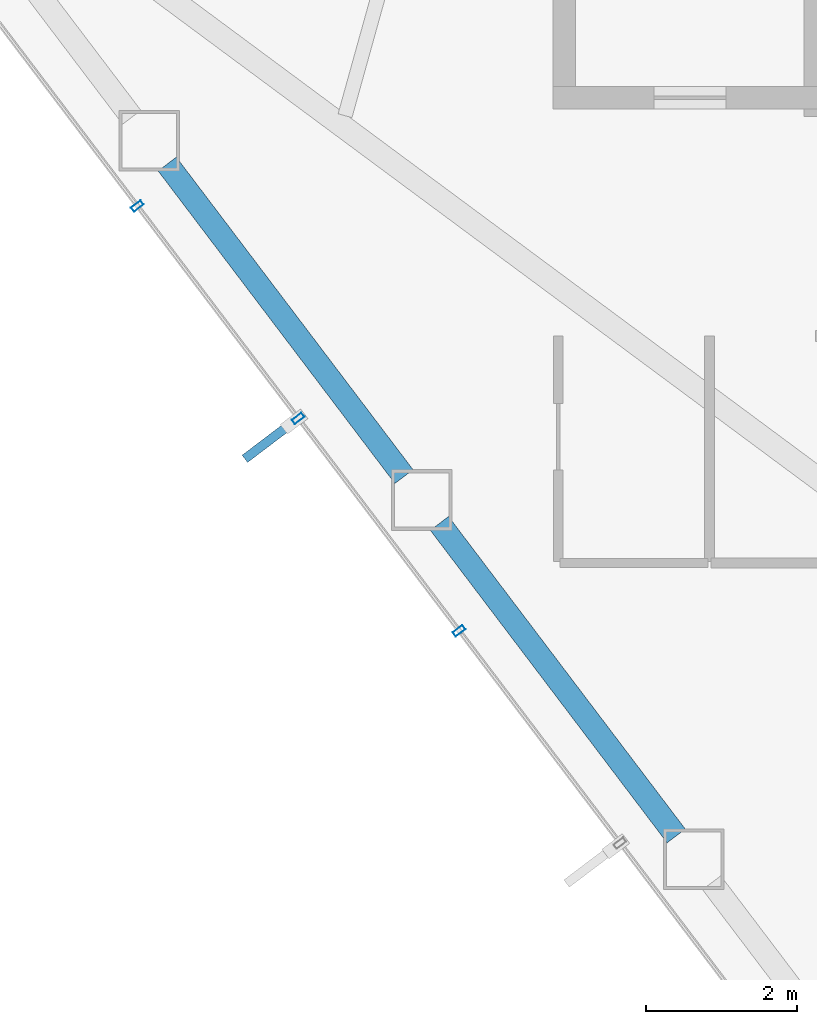
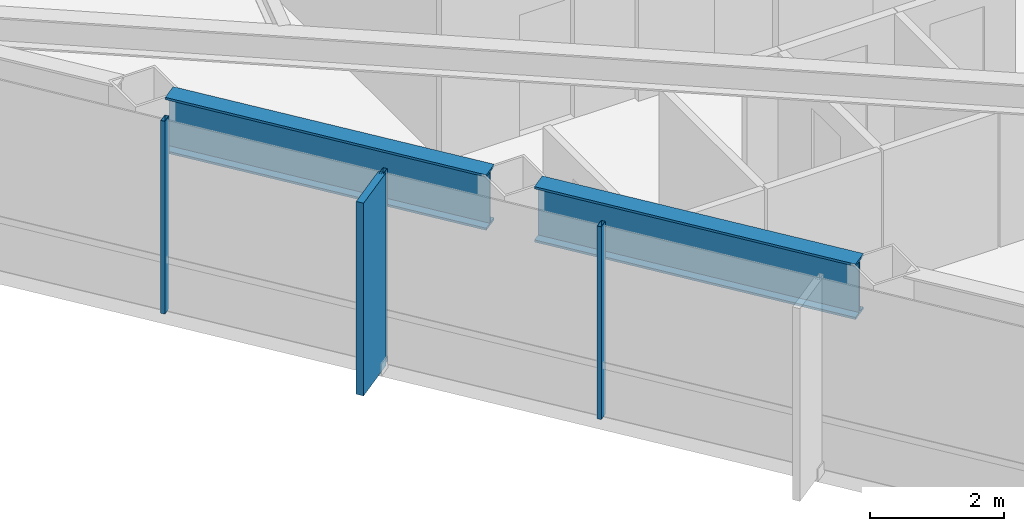
# One storey, part 4 of 28: 4 members, 2 beams, 1 element without a shape of its own.
"""IFC4 building model written with IfcOpenShell, lengths in metres."""

from ifc_helpers import new_model, si_unit, direction, frame, origin, origin_2d, place, context, subcontext, project, spatial, rectangle, hollow_rectangle, i_section, extrude, material, layer, layer_set, material_profile, profile_set, type_object, element, aggregate, save


model = new_model("IFC4")

# Units and contexts
model_context = context("Model", 3, precision=1e-05, world=origin(), true_north=direction((0.0, 1.0)))
body_context = subcontext(model_context, "Body", "Model", "MODEL_VIEW")
ifc_project = project(units=[si_unit("LENGTHUNIT", "METRE"), si_unit("AREAUNIT", "SQUARE_METRE"), si_unit("VOLUMEUNIT", "CUBIC_METRE"), si_unit("PLANEANGLEUNIT", "RADIAN"), si_unit("MASSUNIT", "GRAM", prefix="KILO")], contexts=[model_context])

# Site, building, storey
site_placement = place(None, origin())
site = spatial("IfcSite", under=ifc_project, at=site_placement, CompositionType="ELEMENT")
building_placement = place(site_placement, origin())
building = spatial("IfcBuilding", under=site, at=building_placement, Name="Zarrinselat Tower", CompositionType="ELEMENT")
storey_placement = place(building_placement, frame((0.0, 0.0, 145.860107421875)))
storey = spatial("IfcBuildingStorey", under=building, at=storey_placement, Name="L35", CompositionType="ELEMENT", Elevation=145.860107421875)

# Beams
ifc_material_1 = material(Name="Steel S460M", Category="steel")
ifc_material_profile_1 = material_profile(ifc_material_1, i_section(OverallWidth=0.302001953125, OverallDepth=1.008056640625, WebThickness=0.02099609375, FlangeThickness=0.0400390625, at=origin_2d()), Name="HEM 1000")
ifc_profile_set_1 = profile_set([ifc_material_profile_1], Name="Steel S460M")
beam_type = type_object("IfcBeamType", Name="BM-HEM1000", PredefinedType="BEAM", material=ifc_profile_set_1)
beam_1_placement = place(storey_placement, frame((19.98046875, 32.423583984375, 2.995849609375), z_axis=(0.60385134038, -0.797096956914, 0.0), x_axis=(0.797096956914, 0.60385134038, 0.0)))
element("IfcBeam", 1, at=beam_1_placement, inside=storey, type_object=beam_type, Name="L35 Perimeter Spandrel Girder SP07", PredefinedType="BEAM", context=body_context, shape_type="SweptSolid", body=[
    extrude(i_section(OverallWidth=0.302001953125, OverallDepth=1.008056640625, WebThickness=0.02099609375, FlangeThickness=0.0400390625, at=origin_2d()), origin(), (0.0, 0.0, 1.0), 5.18359375),
])
beam_2_placement = place(storey_placement, frame((23.5791015625, 27.673095703125, 2.995849609375), z_axis=(0.603881263847, -0.797074287112, 0.0), x_axis=(0.797074287112, 0.603881263847, 0.0)))
element("IfcBeam", 2, at=beam_2_placement, inside=storey, type_object=beam_type, Name="L35 Perimeter Spandrel Girder SP08", PredefinedType="BEAM", context=body_context, shape_type="SweptSolid", body=[
    extrude(i_section(OverallWidth=0.302001953125, OverallDepth=1.008056640625, WebThickness=0.02099609375, FlangeThickness=0.0400390625, at=origin_2d()), origin(), (0.0, 0.0, 1.0), 5.183837890625),
])

# Curtain wall, members
ifc_material_2 = material(Name="Extruded Aluminium Alloy EN AW-6063 T6", Category="aluminium")
ifc_layer = layer(ifc_material_2, 0.175048828125)
ifc_layer_set = layer_set([ifc_layer], Name="Extruded Aluminium Alloy EN AW-6063 T6")
curtain_wall_type = type_object("IfcCurtainWallType", Name="CWS-HTL", PredefinedType="NOTDEFINED", material=ifc_layer_set)
curtain_wall_placement = place(storey_placement, origin())
curtain_wall = element("IfcCurtainWall", 3, at=curtain_wall_placement, inside=storey, type_object=curtain_wall_type, Name="L35 Unitised Curtain Wall CW-L35-E03", PredefinedType="NOTDEFINED")
ifc_material_3 = material(Name="Extruded Aluminium Alloy EN AW-6063 T6", Category="aluminium")
ifc_material_profile_2 = material_profile(ifc_material_3, hollow_rectangle(XDim=0.070068359375, YDim=0.159912109375, WallThickness=0.00390625, at=origin_2d()), Name="RHS 160x70x4")
ifc_profile_set_2 = profile_set([ifc_material_profile_2], Name="Extruded Aluminium Alloy EN AW-6063 T6")
member_type_1 = type_object("IfcMemberType", Name="MEM-CW-MUL2", PredefinedType="MULLION", material=ifc_profile_set_2)
member_1_placement = place(storey_placement, frame((19.58544921875, 31.868408203125, 0.0), z_axis=(0.0, 0.0, 1.0), x_axis=(0.603856985167, -0.7970926806, 0.0)))
member_1 = element("IfcMember", 4, at=member_1_placement, type_object=member_type_1, Name="CW-L35-E03 Mullion 2", PredefinedType="MULLION", context=body_context, shape_type="SweptSolid", body=[
    extrude(hollow_rectangle(XDim=0.070068359375, YDim=0.159912109375, WallThickness=0.00390625, at=origin_2d()), origin(), (0.0, 0.0, 1.0), 3.5),
])
member_2_placement = place(storey_placement, frame((21.712158203125, 29.06103515625, 0.0), z_axis=(0.0, 0.0, 1.0), x_axis=(0.603856985167, -0.7970926806, 0.0)))
member_2 = element("IfcMember", 5, at=member_2_placement, type_object=member_type_1, Name="CW-L35-E03 Mullion 3", PredefinedType="MULLION", context=body_context, shape_type="SweptSolid", body=[
    extrude(hollow_rectangle(XDim=0.070068359375, YDim=0.159912109375, WallThickness=0.00390625, at=origin_2d()), origin(), (0.0, 0.0, 1.0), 3.5),
])
member_3_placement = place(storey_placement, frame((23.839111328125, 26.253662109375, 0.0), z_axis=(0.0, 0.0, 1.0), x_axis=(0.603856985167, -0.7970926806, 0.0)))
member_3 = element("IfcMember", 6, at=member_3_placement, type_object=member_type_1, Name="CW-L35-E03 Mullion 4", PredefinedType="MULLION", context=body_context, shape_type="SweptSolid", body=[
    extrude(hollow_rectangle(XDim=0.070068359375, YDim=0.159912109375, WallThickness=0.00390625, at=origin_2d()), origin(), (0.0, 0.0, 1.0), 3.5),
])
ifc_material_4 = material(Name="Honed Cream Travertine Stone", Category="masonry")
ifc_material_profile_3 = material_profile(ifc_material_4, rectangle(XDim=0.1201171875, YDim=0.85009765625, at=origin_2d()), Name="FIN 850x120")
ifc_profile_set_3 = profile_set([ifc_material_profile_3], Name="Honed Cream Travertine Stone")
member_type_2 = type_object("IfcMemberType", Name="MEM-STONE-FIN", PredefinedType="USERDEFINED", material=ifc_profile_set_3)
member_4_placement = place(storey_placement, frame((21.345458984375, 28.783203125, 0.0), z_axis=(0.0, 0.0, 1.0), x_axis=(-0.603856985167, 0.7970926806, 0.0)))
member_4 = element("IfcMember", 7, at=member_4_placement, type_object=member_type_2, Name="L35 Stone Shading Fin CW-L35-E03-03", ObjectType="FIN", PredefinedType="USERDEFINED", context=body_context, shape_type="SweptSolid", body=[
    extrude(rectangle(XDim=0.1201171875, YDim=0.85009765625, at=origin_2d()), origin(), (0.0, 0.0, 1.0), 3.5),
])
aggregate(curtain_wall, [member_1, member_2, member_4, member_3])

save(model, "model.ifc")
